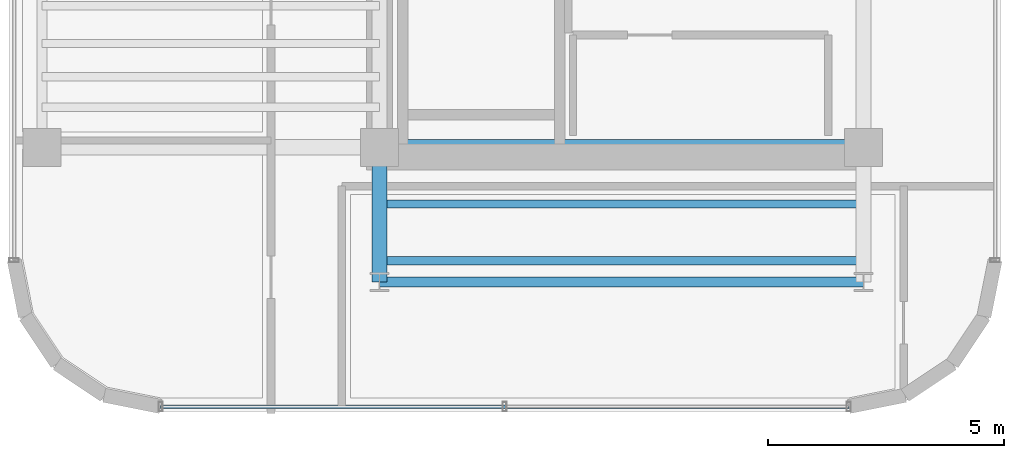
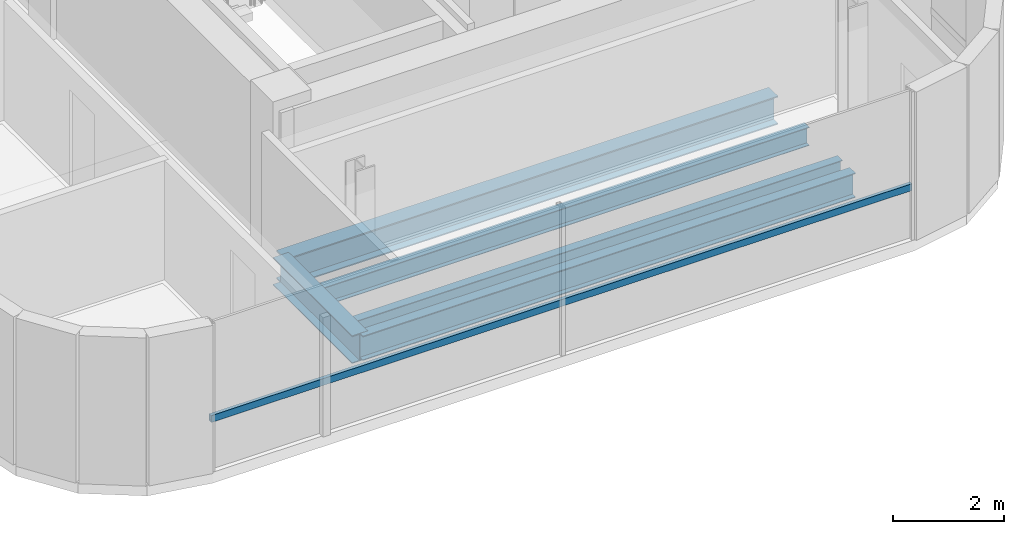
# One storey, part 3 of 20: 5 beams, 1 member, 1 element without a shape of its own.
"""IFC4 building model written with IfcOpenShell, lengths in metres."""

import ifcopenshell
import ifcopenshell.guid

model = None  # the IFC model being written
_history = None  # IfcOwnerHistory: only IFC2X3 demands one
_inside = {}  # id of a spatial element -> (the spatial element, [elements in it])
_under = {}  # id of a project, library or spatial element -> (it, [spatial elements below it])
_declared = {}  # id of a project -> (the project, [libraries it declares])
_typed = {}  # id of a type object -> (the type object, [elements of that type])
_made_of = {}  # id of a material, layer set ... -> (it, [elements and type objects made of it])


def new_model(schema):
    """Start an empty IFC model of exactly this schema.

    Asked for "IFC4X3", IfcOpenShell would pick the latest addendum, in which some entities
    have other attributes; the version numbers below select the first issue.
    IFC2X3 requires an IfcOwnerHistory on every rooted entity: one is made here for all.
    """
    global model, _history
    if schema == "IFC4X3":
        model = ifcopenshell.file(schema_version=(4, 3, 0, 0))
    else:
        model = ifcopenshell.file(schema=schema)
    _inside.clear()
    _under.clear()
    _declared.clear()
    _typed.clear()
    _made_of.clear()
    _history = None
    if model.schema == "IFC2X3":
        org = make("IfcOrganization", Name="unknown")
        user = make(
            "IfcPersonAndOrganization",
            ThePerson=make("IfcPerson", FamilyName="unknown"),
            TheOrganization=org,
        )
        app = make(
            "IfcApplication",
            ApplicationDeveloper=org,
            Version="unknown",
            ApplicationFullName="unknown",
            ApplicationIdentifier="unknown",
        )
        _history = make(
            "IfcOwnerHistory",
            OwningUser=user,
            OwningApplication=app,
            ChangeAction="ADDED",
            CreationDate=0,
        )
    return model


def make(cls, **values):
    """One entity of the class cls with the attributes given. An attribute that is None is left unset."""
    return model.create_entity(
        cls, **{name: value for name, value in values.items() if value is not None}
    )


def rooted(cls, **values):
    """An entity with a GlobalId (a new one), such as an element, a storey or a relation."""
    return make(cls, GlobalId=ifcopenshell.guid.new(), OwnerHistory=_history, **values)


def si_unit(unit_type, name, prefix=None):
    """IfcSIUnit, for example si_unit("LENGTHUNIT", "METRE", prefix="MILLI")."""
    return make("IfcSIUnit", UnitType=unit_type, Prefix=prefix, Name=name)


def assignment(units):
    """IfcUnitAssignment: the units of a project."""
    return None if units is None else make("IfcUnitAssignment", Units=units)


def point(xyz):
    """IfcCartesianPoint."""
    return None if xyz is None else make("IfcCartesianPoint", Coordinates=xyz)


def direction(xyz):
    """IfcDirection."""
    return None if xyz is None else make("IfcDirection", DirectionRatios=xyz)


def frame(location, z_axis=None, x_axis=None):
    """IfcAxis2Placement3D, a coordinate frame: its origin and axes. An axis left out is left unset."""
    return make(
        "IfcAxis2Placement3D",
        Location=point(location),
        Axis=direction(z_axis),
        RefDirection=direction(x_axis),
    )


def frame_2d(location, x_axis=None):
    """IfcAxis2Placement2D, a coordinate frame in the plane: its origin and x axis."""
    return make(
        "IfcAxis2Placement2D", Location=point(location), RefDirection=direction(x_axis)
    )


def origin():
    """The frame at (0, 0, 0) with its axes left unset."""
    return frame((0.0, 0.0, 0.0))


def origin_2d():
    """The frame at (0, 0) in the plane with its x axis left unset."""
    return frame_2d((0.0, 0.0))


def place(relative_to, where):
    """IfcLocalPlacement: puts the frame where relative to a parent placement (None: the world)."""
    return make(
        "IfcLocalPlacement", PlacementRelTo=relative_to, RelativePlacement=where
    )


def context(
    kind, dimensions, precision=None, world=None, true_north=None, identifier=None
):
    """IfcGeometricRepresentationContext, for example the 3D "Model" context."""
    return make(
        "IfcGeometricRepresentationContext",
        ContextIdentifier=identifier,
        ContextType=kind,
        CoordinateSpaceDimension=dimensions,
        Precision=precision,
        WorldCoordinateSystem=world,
        TrueNorth=true_north,
    )


def subcontext(parent, identifier, kind, view, scale=None):
    """IfcGeometricRepresentationSubContext, for example "Body" below "Model"."""
    return make(
        "IfcGeometricRepresentationSubContext",
        ContextIdentifier=identifier,
        ContextType=kind,
        ParentContext=parent,
        TargetScale=scale,
        TargetView=view,
    )


def project(units=None, contexts=None):
    """IfcProject with its units and contexts."""
    return rooted(
        "IfcProject",
        Name="project",
        RepresentationContexts=contexts,
        UnitsInContext=assignment(units),
    )


def spatial(cls, under=None, at=None, **own):
    """A site, building, storey or space (cls), placed at a placement, below another one or the project."""
    s = rooted(cls, ObjectPlacement=at, **own)
    if under is not None:
        _under.setdefault(under.id(), (under, []))[1].append(s)
    return s


def profile(cls, at=None, kind="AREA", **sizes):
    """A parametric profile (cls). Its sizes go by their IFC names, for example OverallWidth=200.0."""
    return make(cls, ProfileType=kind, Position=at, **sizes)


def hollow_rectangle(**sizes):
    """IfcRectangleHollowProfileDef."""
    return profile("IfcRectangleHollowProfileDef", **sizes)


def i_section(**sizes):
    """IfcIShapeProfileDef."""
    return profile("IfcIShapeProfileDef", **sizes)


def extrude(swept, where, along, depth):
    """IfcExtrudedAreaSolid: the profile swept, set in the frame where, extruded along a direction by depth."""
    return make(
        "IfcExtrudedAreaSolid",
        SweptArea=swept,
        Position=where,
        ExtrudedDirection=direction(along),
        Depth=depth,
    )


def shape(context_of_items, identifier, shape_type, items):
    """IfcShapeRepresentation: the items that make up one representation, for example the "Body"."""
    return make(
        "IfcShapeRepresentation",
        ContextOfItems=context_of_items,
        RepresentationIdentifier=identifier,
        RepresentationType=shape_type,
        Items=items,
    )


def source(mapping_origin, context_of_items, identifier, shape_type, items):
    """IfcRepresentationMap: a shape defined once, which mapped items show again and again."""
    return make(
        "IfcRepresentationMap",
        MappingOrigin=mapping_origin,
        MappedRepresentation=shape(context_of_items, identifier, shape_type, items),
    )


def transform(
    local_origin,
    x_axis=None,
    y_axis=None,
    z_axis=None,
    scale=None,
    scale2=None,
    scale3=None,
    uniform=True,
):
    """IfcCartesianTransformationOperator3D, or its non-uniform kind. x_axis, y_axis, z_axis: its Axis1, 2, 3."""
    if uniform:
        return make(
            "IfcCartesianTransformationOperator3D",
            Axis1=direction(x_axis),
            Axis2=direction(y_axis),
            LocalOrigin=point(local_origin),
            Scale=scale,
            Axis3=direction(z_axis),
        )
    return make(
        "IfcCartesianTransformationOperator3DnonUniform",
        Axis1=direction(x_axis),
        Axis2=direction(y_axis),
        LocalOrigin=point(local_origin),
        Scale=scale,
        Axis3=direction(z_axis),
        Scale2=scale2,
        Scale3=scale3,
    )


def mapped(mapping_source, mapping_target):
    """IfcMappedItem: shows the shape of a source again, moved by a transform."""
    return make(
        "IfcMappedItem", MappingSource=mapping_source, MappingTarget=mapping_target
    )


def material(Name=None, Category=None):
    """IfcMaterial."""
    return make("IfcMaterial", Name=Name, Category=Category)


def material_profile(
    of_material, cross_section, Name=None, Category=None, Priority=None
):
    """IfcMaterialProfile: a cross section and its material."""
    return make(
        "IfcMaterialProfile",
        Name=Name,
        Material=of_material,
        Profile=cross_section,
        Priority=Priority,
        Category=Category,
    )


def profile_set(profiles, Name=None, composite=None):
    """IfcMaterialProfileSet."""
    return make(
        "IfcMaterialProfileSet",
        Name=Name,
        MaterialProfiles=profiles,
        CompositeProfile=composite,
    )


def made_of(thing, what):
    """Note that an element or type object is made of a material, layer set ...; save() writes the relation."""
    if what is not None:
        _made_of.setdefault(what.id(), (what, []))[1].append(thing)
    return thing


def type_object(cls, material=None, **own):
    """A type object (cls), such as IfcWallType, which elements share."""
    return made_of(rooted(cls, **own), material)


def element(
    cls,
    number,
    at=None,
    inside=None,
    cuts=None,
    type_object=None,
    material=None,
    context=None,
    identifier="Body",
    shape_type=None,
    held_by="IfcProductDefinitionShape",
    body=None,
    shapes=None,
    **own,
):
    """One element of the class cls, such as IfcWall. Its Tag is "e" and its number.

    at: its placement. inside: the storey or other place that contains it. cuts: it is an
    opening in that element (IfcRelVoidsElement). A single representation is given by context,
    identifier, shape_type and body (its items); several are given by shapes. held_by: the class
    of the entity that holds the representations. save() writes the other relations.
    """
    e = rooted(cls, Tag="e%d" % number, ObjectPlacement=at, **own)
    if body is not None:
        shapes = [shape(context, identifier, shape_type, body)]
    if shapes is not None:
        e.Representation = make(held_by, Representations=shapes)
    if inside is not None:
        _inside.setdefault(inside.id(), (inside, []))[1].append(e)
    if cuts is not None:
        rooted(
            "IfcRelVoidsElement", RelatingBuildingElement=cuts, RelatedOpeningElement=e
        )
    if type_object is not None:
        _typed.setdefault(type_object.id(), (type_object, []))[1].append(e)
    return made_of(e, material)


def aggregate(whole, parts):
    """IfcRelAggregates: a whole, such as a stair, and the parts it consists of."""
    return rooted("IfcRelAggregates", RelatingObject=whole, RelatedObjects=parts)


def save(model, path):
    """Write the relations noted so far, then the file.

    IfcRelAggregates (storeys below a building ...), IfcRelContainedInSpatialStructure (elements
    in a storey), IfcRelDefinesByType, IfcRelAssociatesMaterial and IfcRelDeclares: one each for
    every whole, place, type object, material and project.
    """
    for whole, parts in _under.values():
        aggregate(whole, parts)
    for where, things in _inside.values():
        rooted(
            "IfcRelContainedInSpatialStructure",
            RelatedElements=things,
            RelatingStructure=where,
        )
    for kind, things in _typed.values():
        rooted("IfcRelDefinesByType", RelatedObjects=things, RelatingType=kind)
    for what, things in _made_of.values():
        rooted("IfcRelAssociatesMaterial", RelatedObjects=things, RelatingMaterial=what)
    for by, libraries in _declared.values():
        rooted("IfcRelDeclares", RelatingContext=by, RelatedDefinitions=libraries)
    model.write(path)


model = new_model("IFC4")

# Units and contexts
model_context = context("Model", 3, precision=1e-05, world=origin(), true_north=direction((0.0, 1.0)))
body_context = subcontext(model_context, "Body", "Model", "MODEL_VIEW")
ifc_project = project(units=[si_unit("LENGTHUNIT", "METRE"), si_unit("AREAUNIT", "SQUARE_METRE"), si_unit("VOLUMEUNIT", "CUBIC_METRE"), si_unit("PLANEANGLEUNIT", "RADIAN"), si_unit("MASSUNIT", "GRAM", prefix="KILO")], contexts=[model_context])

# Site, building, storey
site_placement = place(None, origin())
site = spatial("IfcSite", under=ifc_project, at=site_placement, CompositionType="ELEMENT")
building_placement = place(site_placement, origin())
building = spatial("IfcBuilding", under=site, at=building_placement, Name="Valdorenza Pilgrim Sanctuary Tower", CompositionType="ELEMENT")
storey_placement = place(building_placement, frame((0.0, 0.0, 283.5)))
storey = spatial("IfcBuildingStorey", under=building, at=storey_placement, Name="L74", CompositionType="ELEMENT", Elevation=283.5)

# Beams
ifc_material_1 = material(Name="Steel ASTM A992 Grade 50", Category="steel")
ifc_material_profile_1 = material_profile(ifc_material_1, i_section(OverallWidth=0.323974609375, OverallDepth=0.611083984375, WebThickness=0.0126953125, FlangeThickness=0.01904296875, at=origin_2d()), Name="W24X104")
ifc_profile_set_1 = profile_set([ifc_material_profile_1], Name="Steel ASTM A992 Grade 50")
beam_type_1 = type_object("IfcBeamType", Name="STR-BM-GRD-W24B", PredefinedType="BEAM", material=ifc_profile_set_1)
shared_shape_1 = source(origin(), body_context, "Body", "SweptSolid", [
    extrude(i_section(OverallWidth=0.323974609375, OverallDepth=0.611083984375, WebThickness=0.0126953125, FlangeThickness=0.01904296875, at=origin_2d()), origin(), (0.0, 0.0, 1.0), 2.849853515625),
])
beam_1_placement = place(storey_placement, frame((-22.64990234375, -13.449951171875, -0.54541015625), z_axis=(0.0, 1.0, 0.0), x_axis=(-1.0, 0.0, 0.0)))
element("IfcBeam", 1, at=beam_1_placement, inside=storey, type_object=beam_type_1, Name="L74 Floor Girder WA-S-LW", PredefinedType="BEAM", context=body_context, shape_type="MappedRepresentation", body=[
    mapped(shared_shape_1, transform((0.0, 0.0, 0.0), x_axis=(1.0, 0.0, 0.0), y_axis=(0.0, 1.0, 0.0), z_axis=(0.0, 0.0, 1.0), scale=1.0)),
])
ifc_material_profile_2 = material_profile(ifc_material_1, i_section(OverallWidth=0.2109375, OverallDepth=0.5390625, WebThickness=0.01171875, FlangeThickness=0.018798828125, at=origin_2d()), Name="W21X73")
ifc_profile_set_2 = profile_set([ifc_material_profile_2], Name="Steel ASTM A992 Grade 50")
beam_type_2 = type_object("IfcBeamType", Name="STR-BM-SPN-W21B", PredefinedType="SPANDREL", material=ifc_profile_set_2)
shared_shape_2 = source(origin(), body_context, "Body", "SweptSolid", [
    extrude(i_section(OverallWidth=0.2109375, OverallDepth=0.5390625, WebThickness=0.01171875, FlangeThickness=0.018798828125, at=origin_2d()), origin(), (0.0, 0.0, 1.0), 10.25),
])
beam_2_placement = place(storey_placement, frame((-22.64990234375, -13.449951171875, -0.509521484375), z_axis=(1.0, 0.0, 0.0), x_axis=(0.0, 1.0, 0.0)))
element("IfcBeam", 2, at=beam_2_placement, inside=storey, type_object=beam_type_2, Name="L74 South Spandrel WA-S-TIE", PredefinedType="SPANDREL", context=body_context, shape_type="MappedRepresentation", body=[
    mapped(shared_shape_2, transform((0.0, 0.0, 0.0), x_axis=(1.0, 0.0, 0.0), y_axis=(0.0, 1.0, 0.0), z_axis=(0.0, 0.0, 1.0), scale=1.0)),
])
ifc_material_profile_3 = material_profile(ifc_material_1, i_section(OverallWidth=0.177978515625, OverallDepth=0.406005859375, WebThickness=0.0078125, FlangeThickness=0.0126953125, at=origin_2d()), Name="W16X40")
ifc_profile_set_3 = profile_set([ifc_material_profile_3], Name="Steel ASTM A992 Grade 50")
beam_type_3 = type_object("IfcBeamType", Name="STR-BM-JST-W16", PredefinedType="JOIST", material=ifc_profile_set_3)
shared_shape_3 = source(origin(), body_context, "Body", "SweptSolid", [
    extrude(i_section(OverallWidth=0.177978515625, OverallDepth=0.406005859375, WebThickness=0.0078125, FlangeThickness=0.0126953125, at=origin_2d()), origin(), (0.0, 0.0, 1.0), 10.25),
])
for number, where, z_axis, x_axis, name in (
    (3, (-22.64990234375, -13.0, -0.443115234375), (1.0, 0.0, 0.0), (0.0, 1.0, 0.0), "L74 Composite Floor Joist JST-WAS-1"),
    (4, (-22.64990234375, -11.800048828125, -0.443115234375), (1.0, 0.0, 0.0), (0.0, 1.0, 0.0), "L74 Composite Floor Joist JST-WAS-2"),
):
    element("IfcBeam", number, at=place(storey_placement, frame(where, z_axis=z_axis, x_axis=x_axis)), inside=storey, type_object=beam_type_3, Name=name, PredefinedType="JOIST", context=body_context, shape_type="MappedRepresentation", body=[
        mapped(shared_shape_3, transform((0.0, 0.0, 0.0), x_axis=(1.0, 0.0, 0.0), y_axis=(0.0, 1.0, 0.0), z_axis=(0.0, 0.0, 1.0), scale=1.0)),
    ])
ifc_material_profile_4 = material_profile(ifc_material_1, i_section(OverallWidth=0.326904296875, OverallDepth=0.6220703125, WebThickness=0.015380859375, FlangeThickness=0.0244140625, at=origin_2d()), Name="W24X131")
ifc_profile_set_4 = profile_set([ifc_material_profile_4], Name="Steel ASTM A992 Grade 50")
beam_type_4 = type_object("IfcBeamType", Name="STR-BM-GRD-W24A", PredefinedType="BEAM", material=ifc_profile_set_4)
shared_shape_4 = source(origin(), body_context, "Body", "SweptSolid", [
    extrude(i_section(OverallWidth=0.326904296875, OverallDepth=0.6220703125, WebThickness=0.015380859375, FlangeThickness=0.0244140625, at=origin_2d()), origin(), (0.0, 0.0, 1.0), 10.25),
])
beam_3_placement = place(storey_placement, frame((-22.64990234375, -10.60009765625, -0.551025390625), z_axis=(1.0, 0.0, 0.0), x_axis=(0.0, 1.0, 0.0)))
element("IfcBeam", 5, at=beam_3_placement, inside=storey, type_object=beam_type_4, Name="L74 Floor Girder CA-XC-S1", PredefinedType="BEAM", context=body_context, shape_type="MappedRepresentation", body=[
    mapped(shared_shape_4, transform((0.0, 0.0, 0.0), x_axis=(1.0, 0.0, 0.0), y_axis=(0.0, 1.0, 0.0), z_axis=(0.0, 0.0, 1.0), scale=1.0)),
])

# Curtain wall, member
ifc_material_2 = material(Name="Curtain-wall IGU glazing", Category="glass")
curtain_wall_type = type_object("IfcCurtainWallType", Name="CW-SYS-02", PredefinedType="NOTDEFINED", material=ifc_material_2)
curtain_wall_placement = place(storey_placement, origin())
curtain_wall = element("IfcCurtainWall", 6, at=curtain_wall_placement, inside=storey, type_object=curtain_wall_type, Name="L74 Curtain Wall CW-L74-1-26", PredefinedType="NOTDEFINED")
ifc_material_3 = material(Name="Anodised aluminium AW-6060", Category="aluminium")
ifc_material_profile_5 = material_profile(ifc_material_3, hollow_rectangle(XDim=0.074951171875, YDim=0.14990234375, WallThickness=0.00390625, at=origin_2d()), Name="ALU-T 150x75x4")
ifc_profile_set_5 = profile_set([ifc_material_profile_5], Name="Anodised aluminium AW-6060")
member_type = type_object("IfcMemberType", Name="CW-TRN-02", PredefinedType="USERDEFINED", material=ifc_profile_set_5)
shared_shape_5 = source(origin(), body_context, "Body", "SweptSolid", [
    extrude(hollow_rectangle(XDim=0.074951171875, YDim=0.14990234375, WallThickness=0.00390625, at=origin_2d()), origin(), (0.0, 0.0, 1.0), 14.57861328125),
])
member_placement = place(storey_placement, frame((-12.710693359375, -16.090087890625, 1.1201171875), z_axis=(-1.0, 0.0, 0.0), x_axis=(0.0, -1.0, 0.0)))
member = element("IfcMember", 7, at=member_placement, type_object=member_type, Name="CW-L74-1-26 Transom 1", ObjectType="TRANSOM", PredefinedType="USERDEFINED", context=body_context, shape_type="MappedRepresentation", body=[
    mapped(shared_shape_5, transform((0.0, 0.0, 0.0), x_axis=(1.0, 0.0, 0.0), y_axis=(0.0, 1.0, 0.0), z_axis=(0.0, 0.0, 1.0), scale=1.0)),
])
aggregate(curtain_wall, [member])

save(model, "model.ifc")
